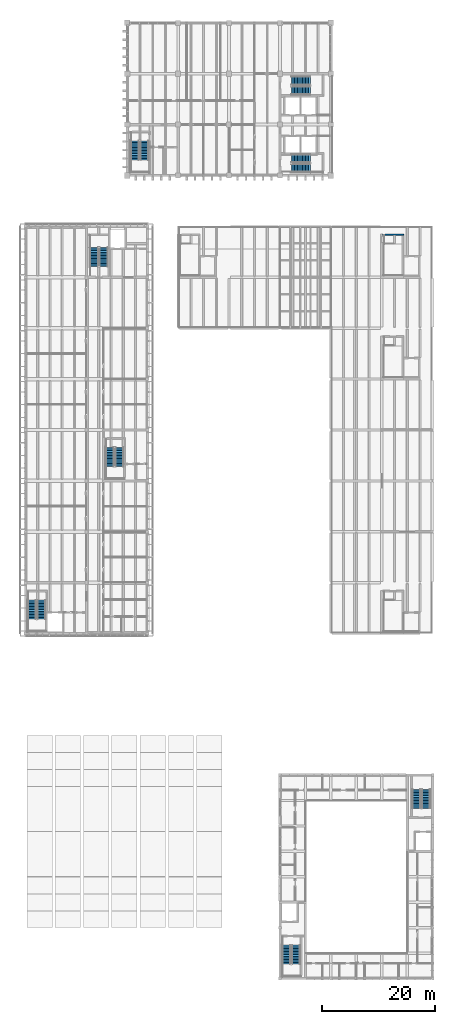
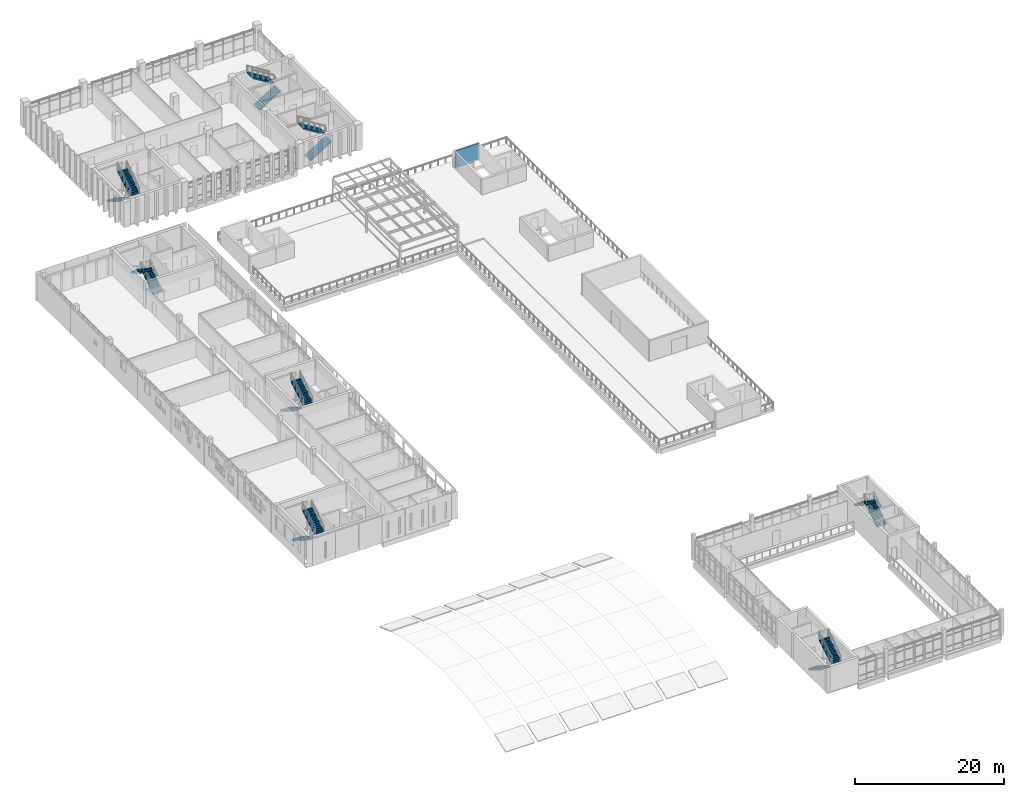
# One storey, part 50 of 74: 16 stair flights, 1 wall, 8 elements without a shape of their own.
"""IFC4 building model written with IfcOpenShell, lengths in metres."""

from ifc_helpers import new_model, si_unit, direction, frame, frame_2d, origin, place, context, subcontext, project, spatial, polyline, rectangle, outline, extrude, material, layer, layer_set, type_object, element, aggregate, save


model = new_model("IFC4")

# Units and contexts
model_context = context("Model", 3, precision=1e-05, world=origin(), true_north=direction((0.0, 1.0)))
body_context = subcontext(model_context, "Body", "Model", "MODEL_VIEW")
ifc_project = project(units=[si_unit("LENGTHUNIT", "METRE"), si_unit("AREAUNIT", "SQUARE_METRE"), si_unit("VOLUMEUNIT", "CUBIC_METRE"), si_unit("PLANEANGLEUNIT", "RADIAN"), si_unit("MASSUNIT", "GRAM", prefix="KILO")], contexts=[model_context])

# Site, building, storey
site_placement = place(None, origin())
site = spatial("IfcSite", under=ifc_project, at=site_placement, CompositionType="ELEMENT")
building_placement = place(site_placement, origin())
building = spatial("IfcBuilding", under=site, at=building_placement, Name="Merrow Basin Faculty of Sciences", CompositionType="ELEMENT")
storey_placement = place(building_placement, frame((0.0, 0.0, 13.5)))
storey = spatial("IfcBuildingStorey", under=building, at=storey_placement, Name="L03", CompositionType="ELEMENT", Elevation=13.5)

# Wall
ifc_material_1 = material(Name="Concrete C40/50", Category="concrete")
ifc_layer = layer(ifc_material_1, 0.25)
ifc_layer_set = layer_set([ifc_layer], Name="Shear wall 250 Concrete C40/50")
wall_type = type_object("IfcWallType", Name="Shear wall 250 Concrete C40/50", PredefinedType="SHEAR", material=ifc_layer_set)
wall_placement = place(storey_placement, frame((63.14990234375, 131.52490234375, 0.0), z_axis=(0.0, 0.0, 1.0), x_axis=(1.0, 0.0, 0.0)))
element("IfcWall", 1, at=wall_placement, inside=storey, type_object=wall_type, Name="SW2 L03 023", PredefinedType="SHEAR", context=body_context, shape_type="SweptSolid", body=[
    extrude(rectangle(XDim=3.7001953125, YDim=0.25, at=frame_2d((1.85009765625, 0.0))), origin(), (0.0, 0.0, 1.0), 2.75),
])

# Stair, stair flights
ifc_material_2 = material(Name="Concrete C40/50", Category="concrete")
stair_type = type_object("IfcStairType", Name="Concrete dog-leg stair Concrete C40/50", PredefinedType="HALF_TURN_STAIR", material=ifc_material_2)
stair_1_placement = place(storey_placement, origin())
stair_1 = element("IfcStair", 2, at=stair_1_placement, inside=storey, type_object=stair_type, Name="L03 Exit stair S", PredefinedType="HALF_TURN_STAIR")
ifc_material_3 = material(Name="Concrete C40/50", Category="concrete")
stair_flight_type = type_object("IfcStairFlightType", Name="Concrete stair flight Concrete C40/50", PredefinedType="STRAIGHT", material=ifc_material_3)
stair_flight_1_placement = place(storey_placement, frame((1.14990234375, 66.89990234375, 0.0), z_axis=(0.0, 0.0, 1.0), x_axis=(0.0, -1.0, 0.0)))
stair_flight_1 = element("IfcStairFlight", 3, at=stair_flight_1_placement, type_object=stair_flight_type, Name="ST-V4-S flight 1", NumberOfRisers=13, NumberOfTreads=12, PredefinedType="STRAIGHT", RiserHeight=0.173076923, TreadLength=0.28, context=body_context, shape_type="SweptSolid", body=[
    extrude(outline(polyline([(0.0, 0.0), (0.0, 0.173095703125), (0.280029296875, 0.173095703125), (0.280029296875, 0.34619140625), (0.56005859375, 0.34619140625), (0.56005859375, 0.519287109375), (0.840087890625, 0.519287109375), (0.840087890625, 0.6923828125), (1.1201171875, 0.6923828125), (1.1201171875, 0.865478515625), (1.39990234375, 0.865478515625), (1.39990234375, 1.03857421875), (1.679931640625, 1.03857421875), (1.679931640625, 1.21142578125), (1.9599609375, 1.21142578125), (1.9599609375, 1.384521484375), (2.239990234375, 1.384521484375), (2.239990234375, 1.5576171875), (2.52001953125, 1.5576171875), (2.52001953125, 1.730712890625), (2.800048828125, 1.730712890625), (2.800048828125, 1.90380859375), (3.080078125, 1.90380859375), (3.080078125, 2.076904296875), (3.360107421875, 2.076904296875), (3.360107421875, 2.25), (3.360107421875, 1.900634765625), (0.28515625, 0.0), (0.0, 0.0)])), frame((0.0, 0.75, 0.0), z_axis=(0.0, -1.0, 0.0), x_axis=(1.0, 0.0, 0.0)), (0.0, 0.0, 1.0), 1.5),
])
stair_flight_2_placement = place(storey_placement, frame((2.85009765625, 63.5400390625, 2.25), z_axis=(0.0, 0.0, 1.0), x_axis=(0.0, 1.0, 0.0)))
stair_flight_2 = element("IfcStairFlight", 4, at=stair_flight_2_placement, type_object=stair_flight_type, Name="ST-V4-S flight 2", NumberOfRisers=13, NumberOfTreads=12, PredefinedType="STRAIGHT", RiserHeight=0.173076923, TreadLength=0.28, context=body_context, shape_type="SweptSolid", body=[
    extrude(outline(polyline([(0.0, 0.0), (0.0, 0.173095703125), (0.280029296875, 0.173095703125), (0.280029296875, 0.34619140625), (0.56005859375, 0.34619140625), (0.56005859375, 0.519287109375), (0.840087890625, 0.519287109375), (0.840087890625, 0.6923828125), (1.1201171875, 0.6923828125), (1.1201171875, 0.865478515625), (1.39990234375, 0.865478515625), (1.39990234375, 1.03857421875), (1.679931640625, 1.03857421875), (1.679931640625, 1.21142578125), (1.9599609375, 1.21142578125), (1.9599609375, 1.384521484375), (2.239990234375, 1.384521484375), (2.239990234375, 1.5576171875), (2.52001953125, 1.5576171875), (2.52001953125, 1.730712890625), (2.800048828125, 1.730712890625), (2.800048828125, 1.90380859375), (3.080078125, 1.90380859375), (3.080078125, 2.076904296875), (3.360107421875, 2.076904296875), (3.360107421875, 2.25), (3.360107421875, 1.900634765625), (0.28515625, 0.0), (0.0, 0.0)])), frame((0.0, 0.75, 0.0), z_axis=(0.0, -1.0, 0.0), x_axis=(1.0, 0.0, 0.0)), (0.0, 0.0, 1.0), 1.5),
])
aggregate(stair_1, [stair_flight_1, stair_flight_2])

stair_2_placement = place(storey_placement, origin())
stair_2 = element("IfcStair", 5, at=stair_2_placement, inside=storey, type_object=stair_type, Name="L03 Exit stair M", PredefinedType="HALF_TURN_STAIR")
stair_flight_3_placement = place(storey_placement, frame((14.949951171875, 93.89990234375, 0.0), z_axis=(0.0, 0.0, 1.0), x_axis=(0.0, -1.0, 0.0)))
stair_flight_3 = element("IfcStairFlight", 6, at=stair_flight_3_placement, type_object=stair_flight_type, Name="ST-V4-M flight 1", NumberOfRisers=13, NumberOfTreads=12, PredefinedType="STRAIGHT", RiserHeight=0.173076923, TreadLength=0.28, context=body_context, shape_type="SweptSolid", body=[
    extrude(outline(polyline([(0.0, 0.0), (0.0, 0.173095703125), (0.280029296875, 0.173095703125), (0.280029296875, 0.34619140625), (0.56005859375, 0.34619140625), (0.56005859375, 0.519287109375), (0.840087890625, 0.519287109375), (0.840087890625, 0.6923828125), (1.1201171875, 0.6923828125), (1.1201171875, 0.865478515625), (1.39990234375, 0.865478515625), (1.39990234375, 1.03857421875), (1.679931640625, 1.03857421875), (1.679931640625, 1.21142578125), (1.9599609375, 1.21142578125), (1.9599609375, 1.384521484375), (2.239990234375, 1.384521484375), (2.239990234375, 1.5576171875), (2.52001953125, 1.5576171875), (2.52001953125, 1.730712890625), (2.800048828125, 1.730712890625), (2.800048828125, 1.90380859375), (3.080078125, 1.90380859375), (3.080078125, 2.076904296875), (3.360107421875, 2.076904296875), (3.360107421875, 2.25), (3.360107421875, 1.900634765625), (0.28515625, 0.0), (0.0, 0.0)])), frame((0.0, 0.75, 0.0), z_axis=(0.0, -1.0, 0.0), x_axis=(1.0, 0.0, 0.0)), (0.0, 0.0, 1.0), 1.5),
])
stair_flight_4_placement = place(storey_placement, frame((16.64990234375, 90.5400390625, 2.25), z_axis=(0.0, 0.0, 1.0), x_axis=(0.0, 1.0, 0.0)))
stair_flight_4 = element("IfcStairFlight", 7, at=stair_flight_4_placement, type_object=stair_flight_type, Name="ST-V4-M flight 2", NumberOfRisers=13, NumberOfTreads=12, PredefinedType="STRAIGHT", RiserHeight=0.173076923, TreadLength=0.28, context=body_context, shape_type="SweptSolid", body=[
    extrude(outline(polyline([(0.0, 0.0), (0.0, 0.173095703125), (0.280029296875, 0.173095703125), (0.280029296875, 0.34619140625), (0.56005859375, 0.34619140625), (0.56005859375, 0.519287109375), (0.840087890625, 0.519287109375), (0.840087890625, 0.6923828125), (1.1201171875, 0.6923828125), (1.1201171875, 0.865478515625), (1.39990234375, 0.865478515625), (1.39990234375, 1.03857421875), (1.679931640625, 1.03857421875), (1.679931640625, 1.21142578125), (1.9599609375, 1.21142578125), (1.9599609375, 1.384521484375), (2.239990234375, 1.384521484375), (2.239990234375, 1.5576171875), (2.52001953125, 1.5576171875), (2.52001953125, 1.730712890625), (2.800048828125, 1.730712890625), (2.800048828125, 1.90380859375), (3.080078125, 1.90380859375), (3.080078125, 2.076904296875), (3.360107421875, 2.076904296875), (3.360107421875, 2.25), (3.360107421875, 1.900634765625), (0.28515625, 0.0), (0.0, 0.0)])), frame((0.0, 0.75, 0.0), z_axis=(0.0, -1.0, 0.0), x_axis=(1.0, 0.0, 0.0)), (0.0, 0.0, 1.0), 1.5),
])
aggregate(stair_2, [stair_flight_3, stair_flight_4])

stair_3_placement = place(storey_placement, origin())
stair_3 = element("IfcStair", 8, at=stair_3_placement, inside=storey, type_object=stair_type, Name="L03 Exit stair N", PredefinedType="HALF_TURN_STAIR")
stair_flight_5_placement = place(storey_placement, frame((13.85009765625, 125.89990234375, 0.0), z_axis=(0.0, 0.0, 1.0), x_axis=(0.0, 1.0, 0.0)))
stair_flight_5 = element("IfcStairFlight", 9, at=stair_flight_5_placement, type_object=stair_flight_type, Name="ST-V4-N flight 1", NumberOfRisers=13, NumberOfTreads=12, PredefinedType="STRAIGHT", RiserHeight=0.173076923, TreadLength=0.28, context=body_context, shape_type="SweptSolid", body=[
    extrude(outline(polyline([(0.0, 0.0), (0.0, 0.173095703125), (0.280029296875, 0.173095703125), (0.280029296875, 0.34619140625), (0.56005859375, 0.34619140625), (0.56005859375, 0.519287109375), (0.840087890625, 0.519287109375), (0.840087890625, 0.6923828125), (1.1201171875, 0.6923828125), (1.1201171875, 0.865478515625), (1.39990234375, 0.865478515625), (1.39990234375, 1.03857421875), (1.679931640625, 1.03857421875), (1.679931640625, 1.21142578125), (1.9599609375, 1.21142578125), (1.9599609375, 1.384521484375), (2.239990234375, 1.384521484375), (2.239990234375, 1.5576171875), (2.52001953125, 1.5576171875), (2.52001953125, 1.730712890625), (2.800048828125, 1.730712890625), (2.800048828125, 1.90380859375), (3.080078125, 1.90380859375), (3.080078125, 2.076904296875), (3.360107421875, 2.076904296875), (3.360107421875, 2.25), (3.360107421875, 1.900634765625), (0.28515625, 0.0), (0.0, 0.0)])), frame((0.0, 0.75, 0.0), z_axis=(0.0, -1.0, 0.0), x_axis=(1.0, 0.0, 0.0)), (0.0, 0.0, 1.0), 1.5),
])
stair_flight_6_placement = place(storey_placement, frame((12.14990234375, 129.260009765625, 2.25), z_axis=(0.0, 0.0, 1.0), x_axis=(0.0, -1.0, 0.0)))
stair_flight_6 = element("IfcStairFlight", 10, at=stair_flight_6_placement, type_object=stair_flight_type, Name="ST-V4-N flight 2", NumberOfRisers=13, NumberOfTreads=12, PredefinedType="STRAIGHT", RiserHeight=0.173076923, TreadLength=0.28, context=body_context, shape_type="SweptSolid", body=[
    extrude(outline(polyline([(0.0, 0.0), (0.0, 0.173095703125), (0.280029296875, 0.173095703125), (0.280029296875, 0.34619140625), (0.56005859375, 0.34619140625), (0.56005859375, 0.519287109375), (0.840087890625, 0.519287109375), (0.840087890625, 0.6923828125), (1.1201171875, 0.6923828125), (1.1201171875, 0.865478515625), (1.39990234375, 0.865478515625), (1.39990234375, 1.03857421875), (1.679931640625, 1.03857421875), (1.679931640625, 1.21142578125), (1.9599609375, 1.21142578125), (1.9599609375, 1.384521484375), (2.239990234375, 1.384521484375), (2.239990234375, 1.5576171875), (2.52001953125, 1.5576171875), (2.52001953125, 1.730712890625), (2.800048828125, 1.730712890625), (2.800048828125, 1.90380859375), (3.080078125, 1.90380859375), (3.080078125, 2.076904296875), (3.360107421875, 2.076904296875), (3.360107421875, 2.25), (3.360107421875, 1.900634765625), (0.28515625, 0.0), (0.0, 0.0)])), frame((0.0, 0.75, 0.0), z_axis=(0.0, -1.0, 0.0), x_axis=(1.0, 0.0, 0.0)), (0.0, 0.0, 1.0), 1.5),
])
aggregate(stair_3, [stair_flight_5, stair_flight_6])

stair_4_placement = place(storey_placement, origin())
stair_4 = element("IfcStair", 11, at=stair_4_placement, inside=storey, type_object=stair_type, Name="L03 Exit stair W", PredefinedType="HALF_TURN_STAIR")
stair_flight_7_placement = place(storey_placement, frame((46.14990234375, 5.89990234375, 0.0), z_axis=(0.0, 0.0, 1.0), x_axis=(0.0, -1.0, 0.0)))
stair_flight_7 = element("IfcStairFlight", 12, at=stair_flight_7_placement, type_object=stair_flight_type, Name="ST-V3-W flight 1", NumberOfRisers=13, NumberOfTreads=12, PredefinedType="STRAIGHT", RiserHeight=0.173076923, TreadLength=0.28, context=body_context, shape_type="SweptSolid", body=[
    extrude(outline(polyline([(0.0, 0.0), (0.0, 0.173095703125), (0.280029296875, 0.173095703125), (0.280029296875, 0.34619140625), (0.56005859375, 0.34619140625), (0.56005859375, 0.519287109375), (0.840087890625, 0.519287109375), (0.840087890625, 0.6923828125), (1.1201171875, 0.6923828125), (1.1201171875, 0.865478515625), (1.39990234375, 0.865478515625), (1.39990234375, 1.03857421875), (1.679931640625, 1.03857421875), (1.679931640625, 1.21142578125), (1.9599609375, 1.21142578125), (1.9599609375, 1.384521484375), (2.239990234375, 1.384521484375), (2.239990234375, 1.5576171875), (2.52001953125, 1.5576171875), (2.52001953125, 1.730712890625), (2.800048828125, 1.730712890625), (2.800048828125, 1.90380859375), (3.080078125, 1.90380859375), (3.080078125, 2.076904296875), (3.360107421875, 2.076904296875), (3.360107421875, 2.25), (3.360107421875, 1.900634765625), (0.28515625, 0.0), (0.0, 0.0)])), frame((0.0, 0.75, 0.0), z_axis=(0.0, -1.0, 0.0), x_axis=(1.0, 0.0, 0.0)), (0.0, 0.0, 1.0), 1.5),
])
stair_flight_8_placement = place(storey_placement, frame((47.85009765625, 2.5400390625, 2.25), z_axis=(0.0, 0.0, 1.0), x_axis=(0.0, 1.0, 0.0)))
stair_flight_8 = element("IfcStairFlight", 13, at=stair_flight_8_placement, type_object=stair_flight_type, Name="ST-V3-W flight 2", NumberOfRisers=13, NumberOfTreads=12, PredefinedType="STRAIGHT", RiserHeight=0.173076923, TreadLength=0.28, context=body_context, shape_type="SweptSolid", body=[
    extrude(outline(polyline([(0.0, 0.0), (0.0, 0.173095703125), (0.280029296875, 0.173095703125), (0.280029296875, 0.34619140625), (0.56005859375, 0.34619140625), (0.56005859375, 0.519287109375), (0.840087890625, 0.519287109375), (0.840087890625, 0.6923828125), (1.1201171875, 0.6923828125), (1.1201171875, 0.865478515625), (1.39990234375, 0.865478515625), (1.39990234375, 1.03857421875), (1.679931640625, 1.03857421875), (1.679931640625, 1.21142578125), (1.9599609375, 1.21142578125), (1.9599609375, 1.384521484375), (2.239990234375, 1.384521484375), (2.239990234375, 1.5576171875), (2.52001953125, 1.5576171875), (2.52001953125, 1.730712890625), (2.800048828125, 1.730712890625), (2.800048828125, 1.90380859375), (3.080078125, 1.90380859375), (3.080078125, 2.076904296875), (3.360107421875, 2.076904296875), (3.360107421875, 2.25), (3.360107421875, 1.900634765625), (0.28515625, 0.0), (0.0, 0.0)])), frame((0.0, 0.75, 0.0), z_axis=(0.0, -1.0, 0.0), x_axis=(1.0, 0.0, 0.0)), (0.0, 0.0, 1.0), 1.5),
])
aggregate(stair_4, [stair_flight_7, stair_flight_8])

stair_5_placement = place(storey_placement, origin())
stair_5 = element("IfcStair", 14, at=stair_5_placement, inside=storey, type_object=stair_type, Name="L03 Exit stair E", PredefinedType="HALF_TURN_STAIR")
stair_flight_9_placement = place(storey_placement, frame((70.85009765625, 30.10009765625, 0.0), z_axis=(0.0, 0.0, 1.0), x_axis=(0.0, 1.0, 0.0)))
stair_flight_9 = element("IfcStairFlight", 15, at=stair_flight_9_placement, type_object=stair_flight_type, Name="ST-V3-E flight 1", NumberOfRisers=13, NumberOfTreads=12, PredefinedType="STRAIGHT", RiserHeight=0.173076923, TreadLength=0.28, context=body_context, shape_type="SweptSolid", body=[
    extrude(outline(polyline([(0.0, 0.0), (0.0, 0.173095703125), (0.280029296875, 0.173095703125), (0.280029296875, 0.34619140625), (0.56005859375, 0.34619140625), (0.56005859375, 0.519287109375), (0.840087890625, 0.519287109375), (0.840087890625, 0.6923828125), (1.1201171875, 0.6923828125), (1.1201171875, 0.865478515625), (1.39990234375, 0.865478515625), (1.39990234375, 1.03857421875), (1.679931640625, 1.03857421875), (1.679931640625, 1.21142578125), (1.9599609375, 1.21142578125), (1.9599609375, 1.384521484375), (2.239990234375, 1.384521484375), (2.239990234375, 1.5576171875), (2.52001953125, 1.5576171875), (2.52001953125, 1.730712890625), (2.800048828125, 1.730712890625), (2.800048828125, 1.90380859375), (3.080078125, 1.90380859375), (3.080078125, 2.076904296875), (3.360107421875, 2.076904296875), (3.360107421875, 2.25), (3.360107421875, 1.900634765625), (0.28515625, 0.0), (0.0, 0.0)])), frame((0.0, 0.75, 0.0), z_axis=(0.0, -1.0, 0.0), x_axis=(1.0, 0.0, 0.0)), (0.0, 0.0, 1.0), 1.5),
])
stair_flight_10_placement = place(storey_placement, frame((69.14990234375, 33.4599609375, 2.25), z_axis=(0.0, 0.0, 1.0), x_axis=(0.0, -1.0, 0.0)))
stair_flight_10 = element("IfcStairFlight", 16, at=stair_flight_10_placement, type_object=stair_flight_type, Name="ST-V3-E flight 2", NumberOfRisers=13, NumberOfTreads=12, PredefinedType="STRAIGHT", RiserHeight=0.173076923, TreadLength=0.28, context=body_context, shape_type="SweptSolid", body=[
    extrude(outline(polyline([(0.0, 0.0), (0.0, 0.173095703125), (0.280029296875, 0.173095703125), (0.280029296875, 0.34619140625), (0.56005859375, 0.34619140625), (0.56005859375, 0.519287109375), (0.840087890625, 0.519287109375), (0.840087890625, 0.6923828125), (1.1201171875, 0.6923828125), (1.1201171875, 0.865478515625), (1.39990234375, 0.865478515625), (1.39990234375, 1.03857421875), (1.679931640625, 1.03857421875), (1.679931640625, 1.21142578125), (1.9599609375, 1.21142578125), (1.9599609375, 1.384521484375), (2.239990234375, 1.384521484375), (2.239990234375, 1.5576171875), (2.52001953125, 1.5576171875), (2.52001953125, 1.730712890625), (2.800048828125, 1.730712890625), (2.800048828125, 1.90380859375), (3.080078125, 1.90380859375), (3.080078125, 2.076904296875), (3.360107421875, 2.076904296875), (3.360107421875, 2.25), (3.360107421875, 1.900634765625), (0.28515625, 0.0), (0.0, 0.0)])), frame((0.0, 0.75, 0.0), z_axis=(0.0, -1.0, 0.0), x_axis=(1.0, 0.0, 0.0)), (0.0, 0.0, 1.0), 1.5),
])
aggregate(stair_5, [stair_flight_9, stair_flight_10])

stair_6_placement = place(storey_placement, origin())
stair_6 = element("IfcStair", 17, at=stair_6_placement, inside=storey, type_object=stair_type, Name="L03 Exit stair S", PredefinedType="HALF_TURN_STAIR")
stair_flight_11_placement = place(storey_placement, frame((47.0, 157.050048828125, 0.0), z_axis=(0.0, 0.0, 1.0), x_axis=(1.0, 0.0, 0.0)))
stair_flight_11 = element("IfcStairFlight", 18, at=stair_flight_11_placement, type_object=stair_flight_type, Name="ST-V5-S flight 1", NumberOfRisers=13, NumberOfTreads=12, PredefinedType="STRAIGHT", RiserHeight=0.173076923, TreadLength=0.28, context=body_context, shape_type="SweptSolid", body=[
    extrude(outline(polyline([(0.0, 0.0), (0.0, 0.173095703125), (0.280029296875, 0.173095703125), (0.280029296875, 0.34619140625), (0.56005859375, 0.34619140625), (0.56005859375, 0.519287109375), (0.840087890625, 0.519287109375), (0.840087890625, 0.6923828125), (1.1201171875, 0.6923828125), (1.1201171875, 0.865478515625), (1.39990234375, 0.865478515625), (1.39990234375, 1.03857421875), (1.679931640625, 1.03857421875), (1.679931640625, 1.21142578125), (1.9599609375, 1.21142578125), (1.9599609375, 1.384521484375), (2.239990234375, 1.384521484375), (2.239990234375, 1.5576171875), (2.52001953125, 1.5576171875), (2.52001953125, 1.730712890625), (2.800048828125, 1.730712890625), (2.800048828125, 1.90380859375), (3.080078125, 1.90380859375), (3.080078125, 2.076904296875), (3.360107421875, 2.076904296875), (3.360107421875, 2.25), (3.360107421875, 1.900634765625), (0.28515625, 0.0), (0.0, 0.0)])), frame((0.0, 0.75, 0.0), z_axis=(0.0, -1.0, 0.0), x_axis=(1.0, 0.0, 0.0)), (0.0, 0.0, 1.0), 1.5),
])
stair_flight_12_placement = place(storey_placement, frame((50.360107421875, 158.75, 2.25), z_axis=(0.0, 0.0, 1.0), x_axis=(-1.0, 0.0, 0.0)))
stair_flight_12 = element("IfcStairFlight", 19, at=stair_flight_12_placement, type_object=stair_flight_type, Name="ST-V5-S flight 2", NumberOfRisers=13, NumberOfTreads=12, PredefinedType="STRAIGHT", RiserHeight=0.173076923, TreadLength=0.28, context=body_context, shape_type="SweptSolid", body=[
    extrude(outline(polyline([(0.0, 0.0), (0.0, 0.173095703125), (0.280029296875, 0.173095703125), (0.280029296875, 0.34619140625), (0.56005859375, 0.34619140625), (0.56005859375, 0.519287109375), (0.840087890625, 0.519287109375), (0.840087890625, 0.6923828125), (1.1201171875, 0.6923828125), (1.1201171875, 0.865478515625), (1.39990234375, 0.865478515625), (1.39990234375, 1.03857421875), (1.679931640625, 1.03857421875), (1.679931640625, 1.21142578125), (1.9599609375, 1.21142578125), (1.9599609375, 1.384521484375), (2.239990234375, 1.384521484375), (2.239990234375, 1.5576171875), (2.52001953125, 1.5576171875), (2.52001953125, 1.730712890625), (2.800048828125, 1.730712890625), (2.800048828125, 1.90380859375), (3.080078125, 1.90380859375), (3.080078125, 2.076904296875), (3.360107421875, 2.076904296875), (3.360107421875, 2.25), (3.360107421875, 1.900634765625), (0.28515625, 0.0), (0.0, 0.0)])), frame((0.0, 0.75, 0.0), z_axis=(0.0, -1.0, 0.0), x_axis=(1.0, 0.0, 0.0)), (0.0, 0.0, 1.0), 1.5),
])
aggregate(stair_6, [stair_flight_11, stair_flight_12])

stair_7_placement = place(storey_placement, origin())
stair_7 = element("IfcStair", 20, at=stair_7_placement, inside=storey, type_object=stair_type, Name="L03 Exit stair N", PredefinedType="HALF_TURN_STAIR")
stair_flight_13_placement = place(storey_placement, frame((47.0, 143.35009765625, 0.0), z_axis=(0.0, 0.0, 1.0), x_axis=(1.0, 0.0, 0.0)))
stair_flight_13 = element("IfcStairFlight", 21, at=stair_flight_13_placement, type_object=stair_flight_type, Name="ST-V5-N flight 1", NumberOfRisers=13, NumberOfTreads=12, PredefinedType="STRAIGHT", RiserHeight=0.173076923, TreadLength=0.28, context=body_context, shape_type="SweptSolid", body=[
    extrude(outline(polyline([(0.0, 0.0), (0.0, 0.173095703125), (0.280029296875, 0.173095703125), (0.280029296875, 0.34619140625), (0.56005859375, 0.34619140625), (0.56005859375, 0.519287109375), (0.840087890625, 0.519287109375), (0.840087890625, 0.6923828125), (1.1201171875, 0.6923828125), (1.1201171875, 0.865478515625), (1.39990234375, 0.865478515625), (1.39990234375, 1.03857421875), (1.679931640625, 1.03857421875), (1.679931640625, 1.21142578125), (1.9599609375, 1.21142578125), (1.9599609375, 1.384521484375), (2.239990234375, 1.384521484375), (2.239990234375, 1.5576171875), (2.52001953125, 1.5576171875), (2.52001953125, 1.730712890625), (2.800048828125, 1.730712890625), (2.800048828125, 1.90380859375), (3.080078125, 1.90380859375), (3.080078125, 2.076904296875), (3.360107421875, 2.076904296875), (3.360107421875, 2.25), (3.360107421875, 1.900634765625), (0.28515625, 0.0), (0.0, 0.0)])), frame((0.0, 0.75, 0.0), z_axis=(0.0, -1.0, 0.0), x_axis=(1.0, 0.0, 0.0)), (0.0, 0.0, 1.0), 1.5),
])
stair_flight_14_placement = place(storey_placement, frame((50.360107421875, 145.050048828125, 2.25), z_axis=(0.0, 0.0, 1.0), x_axis=(-1.0, 0.0, 0.0)))
stair_flight_14 = element("IfcStairFlight", 22, at=stair_flight_14_placement, type_object=stair_flight_type, Name="ST-V5-N flight 2", NumberOfRisers=13, NumberOfTreads=12, PredefinedType="STRAIGHT", RiserHeight=0.173076923, TreadLength=0.28, context=body_context, shape_type="SweptSolid", body=[
    extrude(outline(polyline([(0.0, 0.0), (0.0, 0.173095703125), (0.280029296875, 0.173095703125), (0.280029296875, 0.34619140625), (0.56005859375, 0.34619140625), (0.56005859375, 0.519287109375), (0.840087890625, 0.519287109375), (0.840087890625, 0.6923828125), (1.1201171875, 0.6923828125), (1.1201171875, 0.865478515625), (1.39990234375, 0.865478515625), (1.39990234375, 1.03857421875), (1.679931640625, 1.03857421875), (1.679931640625, 1.21142578125), (1.9599609375, 1.21142578125), (1.9599609375, 1.384521484375), (2.239990234375, 1.384521484375), (2.239990234375, 1.5576171875), (2.52001953125, 1.5576171875), (2.52001953125, 1.730712890625), (2.800048828125, 1.730712890625), (2.800048828125, 1.90380859375), (3.080078125, 1.90380859375), (3.080078125, 2.076904296875), (3.360107421875, 2.076904296875), (3.360107421875, 2.25), (3.360107421875, 1.900634765625), (0.28515625, 0.0), (0.0, 0.0)])), frame((0.0, 0.75, 0.0), z_axis=(0.0, -1.0, 0.0), x_axis=(1.0, 0.0, 0.0)), (0.0, 0.0, 1.0), 1.5),
])
aggregate(stair_7, [stair_flight_13, stair_flight_14])

stair_8_placement = place(storey_placement, origin())
stair_8 = element("IfcStair", 23, at=stair_8_placement, inside=storey, type_object=stair_type, Name="L03 Exit stair W", PredefinedType="HALF_TURN_STAIR")
stair_flight_15_placement = place(storey_placement, frame((19.35009765625, 148.10009765625, 0.0), z_axis=(0.0, 0.0, 1.0), x_axis=(0.0, -1.0, 0.0)))
stair_flight_15 = element("IfcStairFlight", 24, at=stair_flight_15_placement, type_object=stair_flight_type, Name="ST-V5-W flight 1", NumberOfRisers=13, NumberOfTreads=12, PredefinedType="STRAIGHT", RiserHeight=0.173076923, TreadLength=0.28, context=body_context, shape_type="SweptSolid", body=[
    extrude(outline(polyline([(0.0, 0.0), (0.0, 0.173095703125), (0.280029296875, 0.173095703125), (0.280029296875, 0.34619140625), (0.56005859375, 0.34619140625), (0.56005859375, 0.519287109375), (0.840087890625, 0.519287109375), (0.840087890625, 0.6923828125), (1.1201171875, 0.6923828125), (1.1201171875, 0.865478515625), (1.39990234375, 0.865478515625), (1.39990234375, 1.03857421875), (1.679931640625, 1.03857421875), (1.679931640625, 1.21142578125), (1.9599609375, 1.21142578125), (1.9599609375, 1.384521484375), (2.239990234375, 1.384521484375), (2.239990234375, 1.5576171875), (2.52001953125, 1.5576171875), (2.52001953125, 1.730712890625), (2.800048828125, 1.730712890625), (2.800048828125, 1.90380859375), (3.080078125, 1.90380859375), (3.080078125, 2.076904296875), (3.360107421875, 2.076904296875), (3.360107421875, 2.25), (3.360107421875, 1.900634765625), (0.28515625, 0.0), (0.0, 0.0)])), frame((0.0, 0.75, 0.0), z_axis=(0.0, -1.0, 0.0), x_axis=(1.0, 0.0, 0.0)), (0.0, 0.0, 1.0), 1.5),
])
stair_flight_16_placement = place(storey_placement, frame((21.050048828125, 144.739990234375, 2.25), z_axis=(0.0, 0.0, 1.0), x_axis=(0.0, 1.0, 0.0)))
stair_flight_16 = element("IfcStairFlight", 25, at=stair_flight_16_placement, type_object=stair_flight_type, Name="ST-V5-W flight 2", NumberOfRisers=13, NumberOfTreads=12, PredefinedType="STRAIGHT", RiserHeight=0.173076923, TreadLength=0.28, context=body_context, shape_type="SweptSolid", body=[
    extrude(outline(polyline([(0.0, 0.0), (0.0, 0.173095703125), (0.280029296875, 0.173095703125), (0.280029296875, 0.34619140625), (0.56005859375, 0.34619140625), (0.56005859375, 0.519287109375), (0.840087890625, 0.519287109375), (0.840087890625, 0.6923828125), (1.1201171875, 0.6923828125), (1.1201171875, 0.865478515625), (1.39990234375, 0.865478515625), (1.39990234375, 1.03857421875), (1.679931640625, 1.03857421875), (1.679931640625, 1.21142578125), (1.9599609375, 1.21142578125), (1.9599609375, 1.384521484375), (2.239990234375, 1.384521484375), (2.239990234375, 1.5576171875), (2.52001953125, 1.5576171875), (2.52001953125, 1.730712890625), (2.800048828125, 1.730712890625), (2.800048828125, 1.90380859375), (3.080078125, 1.90380859375), (3.080078125, 2.076904296875), (3.360107421875, 2.076904296875), (3.360107421875, 2.25), (3.360107421875, 1.900634765625), (0.28515625, 0.0), (0.0, 0.0)])), frame((0.0, 0.75, 0.0), z_axis=(0.0, -1.0, 0.0), x_axis=(1.0, 0.0, 0.0)), (0.0, 0.0, 1.0), 1.5),
])
aggregate(stair_8, [stair_flight_15, stair_flight_16])

save(model, "model.ifc")
